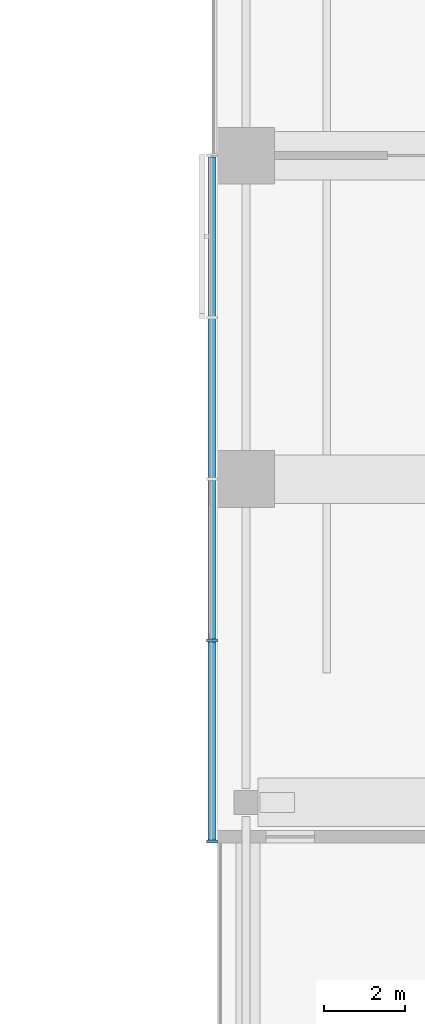
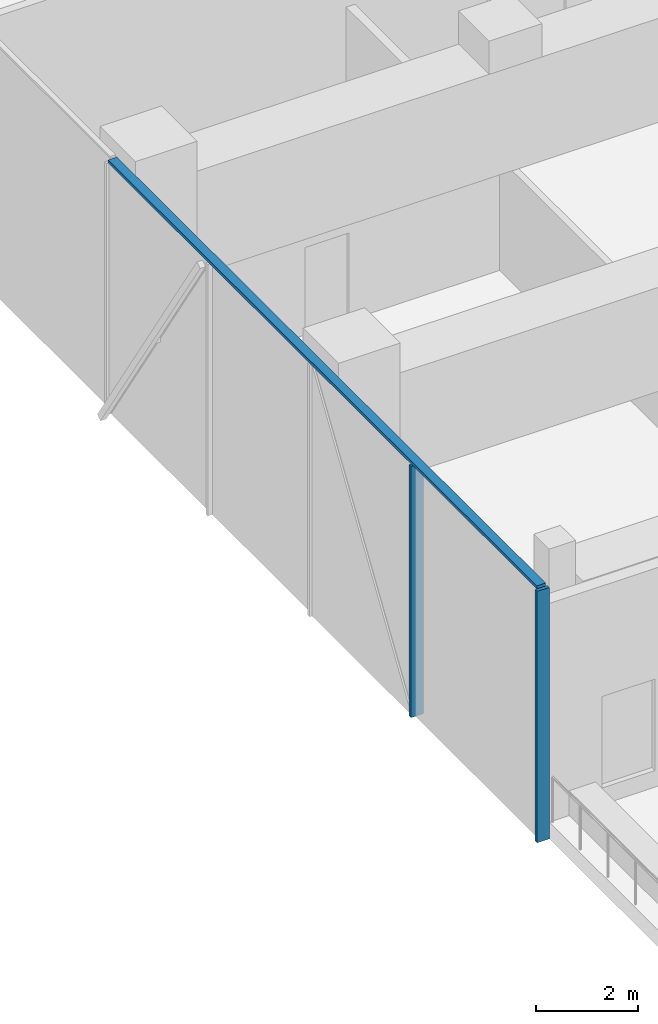
# One storey, part 2 of 23: 3 members, 1 element without a shape of its own.
"""IFC4 building model written with IfcOpenShell, lengths in metres."""

from ifc_helpers import new_model, si_unit, direction, frame, origin, origin_2d, place, context, subcontext, project, spatial, rectangle, extrude, material, material_profile, profile_set, type_object, element, aggregate, save


model = new_model("IFC4")

# Units and contexts
model_context = context("Model", 3, precision=1e-05, world=origin(), true_north=direction((0.0, 1.0)))
body_context = subcontext(model_context, "Body", "Model", "MODEL_VIEW")
ifc_project = project(units=[si_unit("LENGTHUNIT", "METRE"), si_unit("AREAUNIT", "SQUARE_METRE"), si_unit("VOLUMEUNIT", "CUBIC_METRE"), si_unit("PLANEANGLEUNIT", "RADIAN"), si_unit("MASSUNIT", "GRAM", prefix="KILO")], contexts=[model_context])

# Site, building, storey
site_placement = place(None, origin())
site = spatial("IfcSite", under=ifc_project, at=site_placement, CompositionType="ELEMENT")
building_placement = place(site_placement, origin())
building = spatial("IfcBuilding", under=site, at=building_placement, Name="Crosswind Convention Tower", CompositionType="ELEMENT")
storey_placement = place(building_placement, frame((0.0, 0.0, 47.5)))
storey = spatial("IfcBuildingStorey", under=building, at=storey_placement, Name="L06", CompositionType="ELEMENT", Elevation=47.5)

# Curtain wall, members
ifc_material_1 = material(Name="Aluminium unitised curtain wall", Category="aluminium")
curtain_wall_type = type_object("IfcCurtainWallType", Name="SKY LOBBY AND LOUNGE WALL 280", PredefinedType="USERDEFINED", material=ifc_material_1)
curtain_wall_placement = place(storey_placement, origin())
curtain_wall = element("IfcCurtainWall", 1, at=curtain_wall_placement, inside=storey, type_object=curtain_wall_type, Name="CW4 L06 S-W 1", ObjectType="UNITISED", PredefinedType="USERDEFINED")
ifc_material_2 = material(Name="Aluminium mullion", Category="aluminium")
ifc_material_profile_1 = material_profile(ifc_material_2, rectangle(XDim=0.280029296875, YDim=0.074951171875, at=origin_2d()), Name="AL 280X75")
ifc_profile_set_1 = profile_set([ifc_material_profile_1], Name="Aluminium mullion")
member_type_1 = type_object("IfcMemberType", Name="MULLION 75X280", PredefinedType="MULLION", material=ifc_profile_set_1)
member_1_placement = place(storey_placement, frame((112.159912109375, 68.0, -0.39990234375), z_axis=(0.0, 0.0, 1.0), x_axis=(-1.0, 0.0, 0.0)))
member_1 = element("IfcMember", 2, at=member_1_placement, type_object=member_type_1, Name="CW4 mullion 4", PredefinedType="MULLION", context=body_context, shape_type="SweptSolid", body=[
    extrude(rectangle(XDim=0.280029296875, YDim=0.074951171875, at=origin_2d()), origin(), (0.0, 0.0, 1.0), 6.044921875),
])
member_2_placement = place(storey_placement, frame((112.159912109375, 63.03759765625, -0.39990234375), z_axis=(0.0, 0.0, 1.0), x_axis=(-1.0, 0.0, 0.0)))
member_2 = element("IfcMember", 3, at=member_2_placement, type_object=member_type_1, Name="CW4 mullion 5", PredefinedType="MULLION", context=body_context, shape_type="SweptSolid", body=[
    extrude(rectangle(XDim=0.280029296875, YDim=0.074951171875, at=origin_2d()), origin(), (0.0, 0.0, 1.0), 6.044921875),
])
ifc_material_3 = material(Name="Aluminium transom", Category="aluminium")
ifc_material_profile_2 = material_profile(ifc_material_3, rectangle(XDim=0.199951171875, YDim=0.074951171875, at=origin_2d()), Name="AL 200X75")
ifc_profile_set_2 = profile_set([ifc_material_profile_2], Name="Aluminium transom")
member_type_2 = type_object("IfcMemberType", Name="TRANSOM 75X200", PredefinedType="USERDEFINED", material=ifc_profile_set_2)
member_3_placement = place(storey_placement, frame((112.159912109375, 79.96240234375, 5.6826171875), z_axis=(0.0, -1.0, 0.0), x_axis=(1.0, 0.0, 0.0)))
member_3 = element("IfcMember", 4, at=member_3_placement, type_object=member_type_2, Name="CW4 transom", ObjectType="TRANSOM", PredefinedType="USERDEFINED", context=body_context, shape_type="SweptSolid", body=[
    extrude(rectangle(XDim=0.199951171875, YDim=0.074951171875, at=origin_2d()), origin(), (0.0, 0.0, 1.0), 16.887451171875),
])
aggregate(curtain_wall, [member_1, member_2, member_3])

save(model, "model.ifc")
